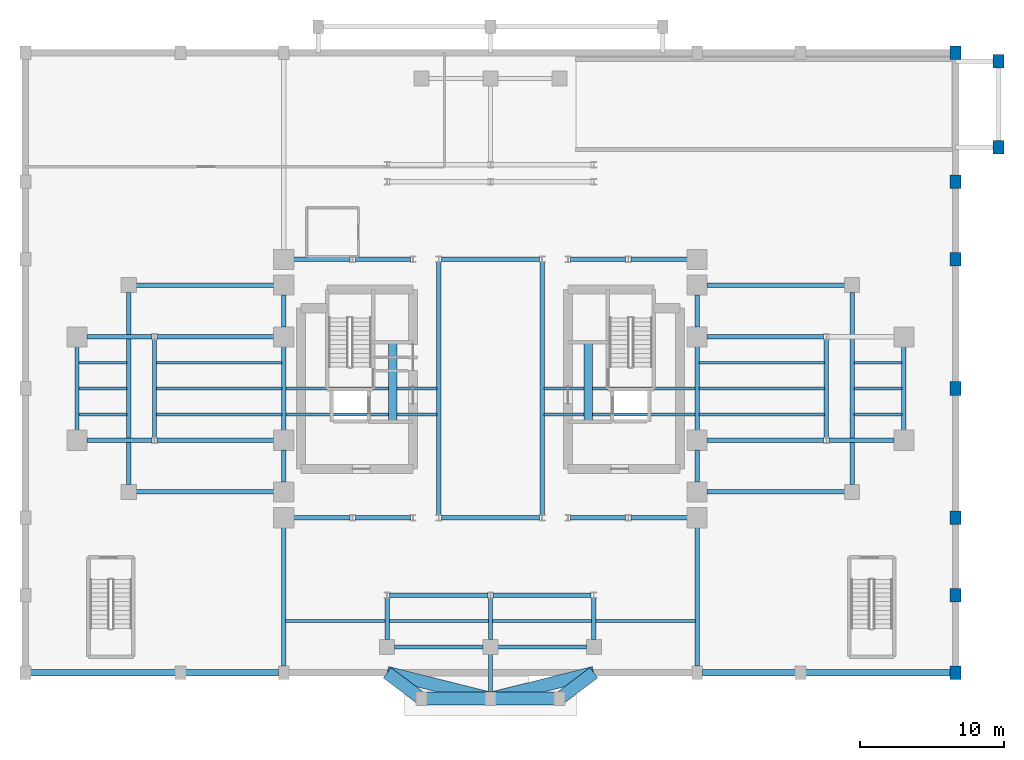
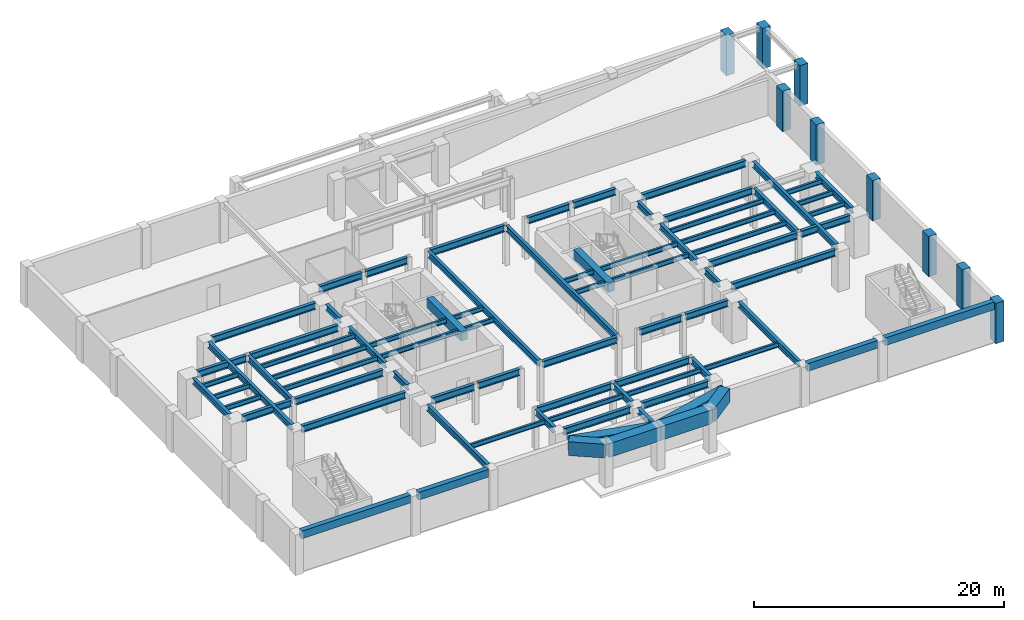
# One storey, part 3 of 9: 77 beams, 9 columns.
"""IFC4 building model written with IfcOpenShell, lengths in metres."""

from ifc_helpers import new_model, si_unit, direction, frame, origin, origin_2d, place, context, subcontext, project, spatial, rectangle, i_section, extrude, source, transform, mapped, material, material_profile, profile_set, type_object, element, save


model = new_model("IFC4")

# Units and contexts
model_context = context("Model", 3, precision=1e-05, world=origin(), true_north=direction((0.0, 1.0)))
body_context = subcontext(model_context, "Body", "Model", "MODEL_VIEW")
ifc_project = project(units=[si_unit("LENGTHUNIT", "METRE"), si_unit("AREAUNIT", "SQUARE_METRE"), si_unit("VOLUMEUNIT", "CUBIC_METRE"), si_unit("PLANEANGLEUNIT", "RADIAN"), si_unit("MASSUNIT", "GRAM", prefix="KILO")], contexts=[model_context])

# Site, building, storey
site_placement = place(None, origin())
site = spatial("IfcSite", under=ifc_project, at=site_placement, CompositionType="ELEMENT")
building_placement = place(site_placement, origin())
building = spatial("IfcBuilding", under=site, at=building_placement, Name="Keilestroom Media Tower", CompositionType="ELEMENT")
storey_placement = place(building_placement, frame((0.0, 0.0, -4.199951171875)))
storey = spatial("IfcBuildingStorey", under=building, at=storey_placement, Name="B1", CompositionType="ELEMENT", Elevation=-4.199951171875)

# Columns
ifc_material_1 = material(Name="Precast concrete C40/50", Category="concrete")
ifc_material_profile_1 = material_profile(ifc_material_1, rectangle(XDim=0.75, YDim=0.949951171875, at=origin_2d()), Name="PC 950x750")
ifc_profile_set_1 = profile_set([ifc_material_profile_1], Name="Precast concrete C40/50")
column_type = type_object("IfcColumnType", Name="Structural-Column-PC-950x750", PredefinedType="COLUMN", material=ifc_profile_set_1)
shared_shape_1 = source(origin(), body_context, "Body", "SweptSolid", [
    extrude(rectangle(XDim=0.75, YDim=0.949951171875, at=origin_2d()), origin(), (0.0, 0.0, 1.0), 3.949951171875),
])
for number, where, z_axis, x_axis, name in (
    (1, (32.39990234375, -19.800048828125, 0.0), (0.0, 0.0, 1.0), (1.0, 0.0, 0.0), "B1 Column PC-1 (+32.4,-19.8)"),
    (2, (32.39990234375, -14.39990234375, 0.0), (0.0, 0.0, 1.0), (1.0, 0.0, 0.0), "B1 Column PC-1 (+32.4,-14.4)"),
    (3, (32.39990234375, -9.0, 0.0), (0.0, 0.0, 1.0), (1.0, 0.0, 0.0), "B1 Column PC-1 (+32.4,-9.0)"),
    (4, (32.39990234375, 0.0, 0.0), (0.0, 0.0, 1.0), (1.0, 0.0, 0.0), "B1 Column PC-1 (+32.4,+0.0)"),
    (5, (32.39990234375, 9.0, 0.0), (0.0, 0.0, 1.0), (1.0, 0.0, 0.0), "B1 Column PC-1 (+32.4,+9.0)"),
    (6, (32.39990234375, 14.39990234375, 0.0), (0.0, 0.0, 1.0), (1.0, 0.0, 0.0), "B1 Column PC-1 (+32.4,+14.4)"),
    (7, (32.39990234375, 23.39990234375, 0.0), (0.0, 0.0, 1.0), (1.0, 0.0, 0.0), "B1 Column PC-1 (+32.4,+23.4)"),
):
    element("IfcColumn", number, at=place(storey_placement, frame(where, z_axis=z_axis, x_axis=x_axis)), inside=storey, type_object=column_type, Name=name, PredefinedType="COLUMN", context=body_context, shape_type="MappedRepresentation", body=[
        mapped(shared_shape_1, transform((0.0, 0.0, 0.0), x_axis=(1.0, 0.0, 0.0), y_axis=(0.0, 1.0, 0.0), z_axis=(0.0, 0.0, 1.0), scale=1.0)),
    ])
shared_shape_2 = source(origin(), body_context, "Body", "SweptSolid", [
    extrude(rectangle(XDim=0.75, YDim=0.949951171875, at=origin_2d()), origin(), (0.0, 0.0, 1.0), 3.9599609375),
])
for number, where, z_axis, x_axis, name in (
    (8, (35.39990234375, 16.800048828125, 0.0), (0.0, 0.0, 1.0), (1.0, 0.0, 0.0), "B1 Column PC-1 (+35.4,+16.8)"),
    (9, (35.39990234375, 22.800048828125, 0.0), (0.0, 0.0, 1.0), (1.0, 0.0, 0.0), "B1 Column PC-1 (+35.4,+22.8)"),
):
    element("IfcColumn", number, at=place(storey_placement, frame(where, z_axis=z_axis, x_axis=x_axis)), inside=storey, type_object=column_type, Name=name, PredefinedType="COLUMN", context=body_context, shape_type="MappedRepresentation", body=[
        mapped(shared_shape_2, transform((0.0, 0.0, 0.0), x_axis=(1.0, 0.0, 0.0), y_axis=(0.0, 1.0, 0.0), z_axis=(0.0, 0.0, 1.0), scale=1.0)),
    ])

# Beams
ifc_material_2 = material(Name="Concrete C55/67", Category="concrete")
ifc_material_profile_2 = material_profile(ifc_material_2, rectangle(XDim=0.89990234375, YDim=1.35009765625, at=origin_2d()), Name="RC 900x1350")
ifc_profile_set_2 = profile_set([ifc_material_profile_2], Name="Concrete C55/67")
beam_type_1 = type_object("IfcBeamType", Name="Primary-Structural-Girder-RC-900x1350", PredefinedType="BEAM", material=ifc_profile_set_2)
shared_shape_3 = source(origin(), body_context, "Body", "SweptSolid", [
    extrude(rectangle(XDim=0.89990234375, YDim=1.35009765625, at=origin_2d()), origin(), (0.0, 0.0, 1.0), 3.0),
])
for number, where, z_axis, x_axis, name in (
    (10, (-4.800048828125, -21.60009765625, 3.5048828125), (-0.799980468008, 0.600026041773, 0.0), (-0.600026041773, -0.799980468008, 0.0), "B1 South-Lobe Podium Tie Girder 1"),
    (11, (4.800048828125, -21.60009765625, 3.5048828125), (0.799980468008, 0.600026041773, 0.0), (-0.600026041773, 0.799980468008, 0.0), "B1 South-Lobe Podium Tie Girder 4"),
):
    element("IfcBeam", number, at=place(storey_placement, frame(where, z_axis=z_axis, x_axis=x_axis)), inside=storey, type_object=beam_type_1, Name=name, PredefinedType="BEAM", context=body_context, shape_type="MappedRepresentation", body=[
        mapped(shared_shape_3, transform((0.0, 0.0, 0.0), x_axis=(1.0, 0.0, 0.0), y_axis=(0.0, 1.0, 0.0), z_axis=(0.0, 0.0, 1.0), scale=1.0)),
    ])
shared_shape_4 = source(origin(), body_context, "Body", "SweptSolid", [
    extrude(rectangle(XDim=0.89990234375, YDim=1.35009765625, at=origin_2d()), origin(), (0.0, 0.0, 1.0), 7.421630859375),
])
for number, where, z_axis, x_axis, name in (
    (12, (0.0, -21.60009765625, 3.5048828125), (-0.970140565046, 0.242543365301, 0.0), (-0.242543365301, -0.970140565046, 0.0), "B1 South-Lobe Podium Tie Girder 2"),
    (13, (0.0, -21.60009765625, 3.5048828125), (0.970140565046, 0.242543365301, 0.0), (-0.242543365301, 0.970140565046, 0.0), "B1 South-Lobe Podium Tie Girder 3"),
):
    element("IfcBeam", number, at=place(storey_placement, frame(where, z_axis=z_axis, x_axis=x_axis)), inside=storey, type_object=beam_type_1, Name=name, PredefinedType="BEAM", context=body_context, shape_type="MappedRepresentation", body=[
        mapped(shared_shape_4, transform((0.0, 0.0, 0.0), x_axis=(1.0, 0.0, 0.0), y_axis=(0.0, 1.0, 0.0), z_axis=(0.0, 0.0, 1.0), scale=1.0)),
    ])
shared_shape_5 = source(origin(), body_context, "Body", "SweptSolid", [
    extrude(rectangle(XDim=0.89990234375, YDim=1.35009765625, at=origin_2d()), origin(), (0.0, 0.0, 1.0), 4.800048828125),
])
for number, where, z_axis, x_axis, name in (
    (14, (-4.800048828125, -21.60009765625, 3.5048828125), (1.0, 0.0, 0.0), (0.0, 1.0, 0.0), "B1 South-Lobe Transverse Tie Girder W"),
    (15, (0.0, -21.60009765625, 3.5048828125), (1.0, 0.0, 0.0), (0.0, 1.0, 0.0), "B1 South-Lobe Transverse Tie Girder E"),
):
    element("IfcBeam", number, at=place(storey_placement, frame(where, z_axis=z_axis, x_axis=x_axis)), inside=storey, type_object=beam_type_1, Name=name, PredefinedType="BEAM", context=body_context, shape_type="MappedRepresentation", body=[
        mapped(shared_shape_5, transform((0.0, 0.0, 0.0), x_axis=(1.0, 0.0, 0.0), y_axis=(0.0, 1.0, 0.0), z_axis=(0.0, 0.0, 1.0), scale=1.0)),
    ])
ifc_material_profile_3 = material_profile(ifc_material_1, rectangle(XDim=0.449951171875, YDim=0.75, at=origin_2d()), Name="PC 450x750")
ifc_profile_set_3 = profile_set([ifc_material_profile_3], Name="Precast concrete C40/50")
beam_type_2 = type_object("IfcBeamType", Name="Perimeter-Spandrel-Beam-PC-450x750", PredefinedType="SPANDREL", material=ifc_profile_set_3)
shared_shape_6 = source(origin(), body_context, "Body", "SweptSolid", [
    extrude(rectangle(XDim=0.449951171875, YDim=0.75, at=origin_2d()), origin(), (0.0, 0.0, 1.0), 10.08984375),
])
for number, where, z_axis, x_axis, name in (
    (16, (-32.044921875, -19.800048828125, 3.574951171875), (1.0, 0.0, 0.0), (0.0, 1.0, 0.0), "B1 Beam SPB-1 BM-B1-EW-001"),
    (17, (21.955078125, -19.800048828125, 3.574951171875), (1.0, 0.0, 0.0), (0.0, 1.0, 0.0), "B1 Beam SPB-1 BM-B1-EW-004"),
):
    element("IfcBeam", number, at=place(storey_placement, frame(where, z_axis=z_axis, x_axis=x_axis)), inside=storey, type_object=beam_type_2, Name=name, PredefinedType="SPANDREL", context=body_context, shape_type="MappedRepresentation", body=[
        mapped(shared_shape_6, transform((0.0, 0.0, 0.0), x_axis=(1.0, 0.0, 0.0), y_axis=(0.0, 1.0, 0.0), z_axis=(0.0, 0.0, 1.0), scale=1.0)),
    ])
shared_shape_7 = source(origin(), body_context, "Body", "SweptSolid", [
    extrude(rectangle(XDim=0.449951171875, YDim=0.75, at=origin_2d()), origin(), (0.0, 0.0, 1.0), 6.490234375),
])
for number, where, z_axis, x_axis, name in (
    (18, (-21.2451171875, -19.800048828125, 3.574951171875), (1.0, 0.0, 0.0), (0.0, 1.0, 0.0), "B1 Beam SPB-1 BM-B1-EW-002"),
    (19, (14.7548828125, -19.800048828125, 3.574951171875), (1.0, 0.0, 0.0), (0.0, 1.0, 0.0), "B1 Beam SPB-1 BM-B1-EW-003"),
):
    element("IfcBeam", number, at=place(storey_placement, frame(where, z_axis=z_axis, x_axis=x_axis)), inside=storey, type_object=beam_type_2, Name=name, PredefinedType="SPANDREL", context=body_context, shape_type="MappedRepresentation", body=[
        mapped(shared_shape_7, transform((0.0, 0.0, 0.0), x_axis=(1.0, 0.0, 0.0), y_axis=(0.0, 1.0, 0.0), z_axis=(0.0, 0.0, 1.0), scale=1.0)),
    ])
ifc_material_3 = material(Name="Steel S355", Category="steel")
ifc_material_profile_4 = material_profile(ifc_material_3, i_section(OverallWidth=0.300048828125, OverallDepth=0.64990234375, WebThickness=0.013916015625, FlangeThickness=0.031005859375, at=origin_2d()), Name="HEB 650")
ifc_profile_set_4 = profile_set([ifc_material_profile_4], Name="Steel S355")
beam_type_3 = type_object("IfcBeamType", Name="Primary-Structural-Girder-HEB-650", PredefinedType="BEAM", material=ifc_profile_set_4)
shared_shape_8 = source(origin(), body_context, "Body", "SweptSolid", [
    extrude(i_section(OverallWidth=0.300048828125, OverallDepth=0.64990234375, WebThickness=0.013916015625, FlangeThickness=0.031005859375, at=origin_2d()), origin(), (0.0, 0.0, 1.0), 6.190185546875),
])
for number, where, z_axis, x_axis, name in (
    (20, (-6.695068359375, -18.0, 3.625), (1.0, 0.0, 0.0), (0.0, 1.0, 0.0), "B1 Beam BG-3 BM-B1-EW-005"),
    (21, (0.5048828125, -18.0, 3.625), (1.0, 0.0, 0.0), (0.0, 1.0, 0.0), "B1 Beam BG-3 BM-B1-EW-006"),
):
    element("IfcBeam", number, at=place(storey_placement, frame(where, z_axis=z_axis, x_axis=x_axis)), inside=storey, type_object=beam_type_3, Name=name, PredefinedType="BEAM", context=body_context, shape_type="MappedRepresentation", body=[
        mapped(shared_shape_8, transform((0.0, 0.0, 0.0), x_axis=(1.0, 0.0, 0.0), y_axis=(0.0, 1.0, 0.0), z_axis=(0.0, 0.0, 1.0), scale=1.0)),
    ])
shared_shape_9 = source(origin(), body_context, "Body", "SweptSolid", [
    extrude(i_section(OverallWidth=0.300048828125, OverallDepth=0.64990234375, WebThickness=0.013916015625, FlangeThickness=0.031005859375, at=origin_2d()), origin(), (0.0, 0.0, 1.0), 6.833984375),
])
for number, where, z_axis, x_axis, name in (
    (22, (-7.01708984375, -14.39990234375, 3.625), (1.0, 0.0, 0.0), (0.0, 1.0, 0.0), "B1 Beam BG-3 BM-B1-EW-007"),
    (23, (0.18310546875, -14.39990234375, 3.625), (1.0, 0.0, 0.0), (0.0, 1.0, 0.0), "B1 Beam BG-3 BM-B1-EW-008"),
    (24, (-3.4169921875, -9.0, 3.625), (1.0, 0.0, 0.0), (0.0, 1.0, 0.0), "B1 Beam BG-3 BM-B1-EW-012"),
    (25, (-3.4169921875, 9.0, 3.625), (1.0, 0.0, 0.0), (0.0, 1.0, 0.0), "B1 Beam BG-3 BM-B1-EW-031"),
):
    element("IfcBeam", number, at=place(storey_placement, frame(where, z_axis=z_axis, x_axis=x_axis)), inside=storey, type_object=beam_type_3, Name=name, PredefinedType="BEAM", context=body_context, shape_type="MappedRepresentation", body=[
        mapped(shared_shape_9, transform((0.0, 0.0, 0.0), x_axis=(1.0, 0.0, 0.0), y_axis=(0.0, 1.0, 0.0), z_axis=(0.0, 0.0, 1.0), scale=1.0)),
    ])
shared_shape_10 = source(origin(), body_context, "Body", "SweptSolid", [
    extrude(i_section(OverallWidth=0.300048828125, OverallDepth=0.64990234375, WebThickness=0.013916015625, FlangeThickness=0.031005859375, at=origin_2d()), origin(), (0.0, 0.0, 1.0), 3.93701171875),
])
for number, where, z_axis, x_axis, name in (
    (26, (-13.719970703125, -9.0, 3.625), (1.0, 0.0, 0.0), (0.0, 1.0, 0.0), "B1 Beam BG-3 BM-B1-EW-009"),
    (27, (9.782958984375, -9.0, 3.625), (1.0, 0.0, 0.0), (0.0, 1.0, 0.0), "B1 Beam BG-3 BM-B1-EW-015"),
    (28, (-13.719970703125, 9.0, 3.625), (1.0, 0.0, 0.0), (0.0, 1.0, 0.0), "B1 Beam BG-3 BM-B1-EW-028"),
    (29, (9.782958984375, 9.0, 3.625), (1.0, 0.0, 0.0), (0.0, 1.0, 0.0), "B1 Beam BG-3 BM-B1-EW-034"),
):
    element("IfcBeam", number, at=place(storey_placement, frame(where, z_axis=z_axis, x_axis=x_axis)), inside=storey, type_object=beam_type_3, Name=name, PredefinedType="BEAM", context=body_context, shape_type="MappedRepresentation", body=[
        mapped(shared_shape_10, transform((0.0, 0.0, 0.0), x_axis=(1.0, 0.0, 0.0), y_axis=(0.0, 1.0, 0.0), z_axis=(0.0, 0.0, 1.0), scale=1.0)),
    ])
shared_shape_11 = source(origin(), body_context, "Body", "SweptSolid", [
    extrude(i_section(OverallWidth=0.300048828125, OverallDepth=0.64990234375, WebThickness=0.013916015625, FlangeThickness=0.031005859375, at=origin_2d()), origin(), (0.0, 0.0, 1.0), 3.833984375),
])
for number, where, z_axis, x_axis, name in (
    (30, (-9.4169921875, -9.0, 3.625), (1.0, 0.0, 0.0), (0.0, 1.0, 0.0), "B1 Beam BG-3 BM-B1-EW-010"),
    (31, (5.5830078125, -9.0, 3.625), (1.0, 0.0, 0.0), (0.0, 1.0, 0.0), "B1 Beam BG-3 BM-B1-EW-014"),
    (32, (-9.4169921875, 9.0, 3.625), (1.0, 0.0, 0.0), (0.0, 1.0, 0.0), "B1 Beam BG-3 BM-B1-EW-029"),
    (33, (5.5830078125, 9.0, 3.625), (1.0, 0.0, 0.0), (0.0, 1.0, 0.0), "B1 Beam BG-3 BM-B1-EW-033"),
):
    element("IfcBeam", number, at=place(storey_placement, frame(where, z_axis=z_axis, x_axis=x_axis)), inside=storey, type_object=beam_type_3, Name=name, PredefinedType="BEAM", context=body_context, shape_type="MappedRepresentation", body=[
        mapped(shared_shape_11, transform((0.0, 0.0, 0.0), x_axis=(1.0, 0.0, 0.0), y_axis=(0.0, 1.0, 0.0), z_axis=(0.0, 0.0, 1.0), scale=1.0)),
    ])
shared_shape_12 = source(origin(), body_context, "Body", "SweptSolid", [
    extrude(i_section(OverallWidth=0.300048828125, OverallDepth=0.64990234375, WebThickness=0.013916015625, FlangeThickness=0.031005859375, at=origin_2d()), origin(), (0.0, 0.0, 1.0), 9.614990234375),
])
for number, where, z_axis, x_axis, name in (
    (34, (-24.695068359375, -7.199951171875, 3.625), (1.0, 0.0, 0.0), (0.0, 1.0, 0.0), "B1 Beam BG-3 BM-B1-EW-016"),
    (35, (15.080078125, -7.199951171875, 3.625), (1.0, 0.0, 0.0), (0.0, 1.0, 0.0), "B1 Beam BG-3 BM-B1-EW-017"),
    (36, (-24.695068359375, 7.199951171875, 3.625), (1.0, 0.0, 0.0), (0.0, 1.0, 0.0), "B1 Beam BG-3 BM-B1-EW-026"),
    (37, (15.080078125, 7.199951171875, 3.625), (1.0, 0.0, 0.0), (0.0, 1.0, 0.0), "B1 Beam BG-3 BM-B1-EW-027"),
):
    element("IfcBeam", number, at=place(storey_placement, frame(where, z_axis=z_axis, x_axis=x_axis)), inside=storey, type_object=beam_type_3, Name=name, PredefinedType="BEAM", context=body_context, shape_type="MappedRepresentation", body=[
        mapped(shared_shape_12, transform((0.0, 0.0, 0.0), x_axis=(1.0, 0.0, 0.0), y_axis=(0.0, 1.0, 0.0), z_axis=(0.0, 0.0, 1.0), scale=1.0)),
    ])
shared_shape_13 = source(origin(), body_context, "Body", "SweptSolid", [
    extrude(i_section(OverallWidth=0.300048828125, OverallDepth=0.64990234375, WebThickness=0.013916015625, FlangeThickness=0.031005859375, at=origin_2d()), origin(), (0.0, 0.0, 1.0), 4.537109375),
])
for number, where, z_axis, x_axis, name in (
    (38, (-28.1201171875, -3.60009765625, 3.625), (1.0, 0.0, 0.0), (0.0, 1.0, 0.0), "B1 Beam BG-3 BM-B1-EW-018"),
    (39, (23.5830078125, -3.60009765625, 3.625), (1.0, 0.0, 0.0), (0.0, 1.0, 0.0), "B1 Beam BG-3 BM-B1-EW-021"),
    (40, (-28.1201171875, 3.60009765625, 3.625), (1.0, 0.0, 0.0), (0.0, 1.0, 0.0), "B1 Beam BG-3 BM-B1-EW-022"),
):
    element("IfcBeam", number, at=place(storey_placement, frame(where, z_axis=z_axis, x_axis=x_axis)), inside=storey, type_object=beam_type_3, Name=name, PredefinedType="BEAM", context=body_context, shape_type="MappedRepresentation", body=[
        mapped(shared_shape_13, transform((0.0, 0.0, 0.0), x_axis=(1.0, 0.0, 0.0), y_axis=(0.0, 1.0, 0.0), z_axis=(0.0, 0.0, 1.0), scale=1.0)),
    ])
shared_shape_14 = source(origin(), body_context, "Body", "SweptSolid", [
    extrude(i_section(OverallWidth=0.300048828125, OverallDepth=0.64990234375, WebThickness=0.013916015625, FlangeThickness=0.031005859375, at=origin_2d()), origin(), (0.0, 0.0, 1.0), 8.136962890625),
])
for number, where, z_axis, x_axis, name in (
    (41, (-23.217041015625, -3.60009765625, 3.625), (1.0, 0.0, 0.0), (0.0, 1.0, 0.0), "B1 Beam BG-3 BM-B1-EW-019"),
    (42, (15.080078125, -3.60009765625, 3.625), (1.0, 0.0, 0.0), (0.0, 1.0, 0.0), "B1 Beam BG-3 BM-B1-EW-020"),
    (43, (-23.217041015625, 3.60009765625, 3.625), (1.0, 0.0, 0.0), (0.0, 1.0, 0.0), "B1 Beam BG-3 BM-B1-EW-023"),
    (44, (15.080078125, 3.60009765625, 3.625), (1.0, 0.0, 0.0), (0.0, 1.0, 0.0), "B1 Beam BG-3 BM-B1-EW-024"),
):
    element("IfcBeam", number, at=place(storey_placement, frame(where, z_axis=z_axis, x_axis=x_axis)), inside=storey, type_object=beam_type_3, Name=name, PredefinedType="BEAM", context=body_context, shape_type="MappedRepresentation", body=[
        mapped(shared_shape_14, transform((0.0, 0.0, 0.0), x_axis=(1.0, 0.0, 0.0), y_axis=(0.0, 1.0, 0.0), z_axis=(0.0, 0.0, 1.0), scale=1.0)),
    ])
ifc_material_profile_5 = material_profile(ifc_material_3, i_section(OverallWidth=0.300048828125, OverallDepth=0.590087890625, WebThickness=0.012939453125, FlangeThickness=0.02490234375, at=origin_2d()), Name="HEA 600")
ifc_profile_set_5 = profile_set([ifc_material_profile_5], Name="Steel S355")
beam_type_4 = type_object("IfcBeamType", Name="Primary-Structural-Girder-HEA-600", PredefinedType="BEAM", material=ifc_profile_set_5)
shared_shape_15 = source(origin(), body_context, "Body", "SweptSolid", [
    extrude(i_section(OverallWidth=0.300048828125, OverallDepth=0.590087890625, WebThickness=0.012939453125, FlangeThickness=0.02490234375, at=origin_2d()), origin(), (0.0, 0.0, 1.0), 5.83984375),
])
for number, where, z_axis, x_axis, name in (
    (45, (-28.800048828125, -2.919921875, 3.655029296875), (0.0, 1.0, 0.0), (-1.0, 0.0, 0.0), "B1 Beam BG-9 BM-B1-NS-051"),
    (46, (-14.39990234375, -2.919921875, 3.655029296875), (0.0, 1.0, 0.0), (-1.0, 0.0, 0.0), "B1 Beam BG-9 BM-B1-NS-057"),
    (47, (14.39990234375, -2.919921875, 3.655029296875), (0.0, 1.0, 0.0), (-1.0, 0.0, 0.0), "B1 Beam BG-9 BM-B1-NS-078"),
    (48, (28.800048828125, -2.919921875, 3.655029296875), (0.0, 1.0, 0.0), (-1.0, 0.0, 0.0), "B1 Beam BG-9 BM-B1-NS-084"),
):
    element("IfcBeam", number, at=place(storey_placement, frame(where, z_axis=z_axis, x_axis=x_axis)), inside=storey, type_object=beam_type_4, Name=name, PredefinedType="BEAM", context=body_context, shape_type="MappedRepresentation", body=[
        mapped(shared_shape_15, transform((0.0, 0.0, 0.0), x_axis=(1.0, 0.0, 0.0), y_axis=(0.0, 1.0, 0.0), z_axis=(0.0, 0.0, 1.0), scale=1.0)),
    ])
shared_shape_16 = source(origin(), body_context, "Body", "SweptSolid", [
    extrude(i_section(OverallWidth=0.300048828125, OverallDepth=0.590087890625, WebThickness=0.012939453125, FlangeThickness=0.02490234375, at=origin_2d()), origin(), (0.0, 0.0, 1.0), 13.39013671875),
])
for number, where, z_axis, x_axis, name in (
    (49, (-25.199951171875, -6.695068359375, 3.655029296875), (0.0, 1.0, 0.0), (-1.0, 0.0, 0.0), "B1 Beam BG-9 BM-B1-NS-052"),
    (50, (25.199951171875, -6.695068359375, 3.655029296875), (0.0, 1.0, 0.0), (-1.0, 0.0, 0.0), "B1 Beam BG-9 BM-B1-NS-083"),
):
    element("IfcBeam", number, at=place(storey_placement, frame(where, z_axis=z_axis, x_axis=x_axis)), inside=storey, type_object=beam_type_4, Name=name, PredefinedType="BEAM", context=body_context, shape_type="MappedRepresentation", body=[
        mapped(shared_shape_16, transform((0.0, 0.0, 0.0), x_axis=(1.0, 0.0, 0.0), y_axis=(0.0, 1.0, 0.0), z_axis=(0.0, 0.0, 1.0), scale=1.0)),
    ])
shared_shape_17 = source(origin(), body_context, "Body", "SweptSolid", [
    extrude(i_section(OverallWidth=0.300048828125, OverallDepth=0.590087890625, WebThickness=0.012939453125, FlangeThickness=0.02490234375, at=origin_2d()), origin(), (0.0, 0.0, 1.0), 6.82421875),
])
for number, where, z_axis, x_axis, name in (
    (51, (-23.39990234375, -3.412109375, 3.655029296875), (0.0, 1.0, 0.0), (-1.0, 0.0, 0.0), "B1 Beam BG-9 BM-B1-NS-053"),
    (52, (23.39990234375, -3.412109375, 3.655029296875), (0.0, 1.0, 0.0), (-1.0, 0.0, 0.0), "B1 Beam BG-9 BM-B1-NS-082"),
):
    element("IfcBeam", number, at=place(storey_placement, frame(where, z_axis=z_axis, x_axis=x_axis)), inside=storey, type_object=beam_type_4, Name=name, PredefinedType="BEAM", context=body_context, shape_type="MappedRepresentation", body=[
        mapped(shared_shape_17, transform((0.0, 0.0, 0.0), x_axis=(1.0, 0.0, 0.0), y_axis=(0.0, 1.0, 0.0), z_axis=(0.0, 0.0, 1.0), scale=1.0)),
    ])
shared_shape_18 = source(origin(), body_context, "Body", "SweptSolid", [
    extrude(i_section(OverallWidth=0.300048828125, OverallDepth=0.590087890625, WebThickness=0.012939453125, FlangeThickness=0.02490234375, at=origin_2d()), origin(), (0.0, 0.0, 1.0), 9.6650390625),
])
for number, where, z_axis, x_axis, name in (
    (53, (-14.39990234375, -19.344970703125, 3.655029296875), (0.0, 1.0, 0.0), (-1.0, 0.0, 0.0), "B1 Beam BG-9 BM-B1-NS-054"),
    (54, (14.39990234375, -19.344970703125, 3.655029296875), (0.0, 1.0, 0.0), (-1.0, 0.0, 0.0), "B1 Beam BG-9 BM-B1-NS-075"),
):
    element("IfcBeam", number, at=place(storey_placement, frame(where, z_axis=z_axis, x_axis=x_axis)), inside=storey, type_object=beam_type_4, Name=name, PredefinedType="BEAM", context=body_context, shape_type="MappedRepresentation", body=[
        mapped(shared_shape_18, transform((0.0, 0.0, 0.0), x_axis=(1.0, 0.0, 0.0), y_axis=(0.0, 1.0, 0.0), z_axis=(0.0, 0.0, 1.0), scale=1.0)),
    ])
shared_shape_19 = source(origin(), body_context, "Body", "SweptSolid", [
    extrude(i_section(OverallWidth=0.300048828125, OverallDepth=0.590087890625, WebThickness=0.012939453125, FlangeThickness=0.02490234375, at=origin_2d()), origin(), (0.0, 0.0, 1.0), 2.239990234375),
])
for number, where, z_axis, x_axis, name in (
    (55, (-14.39990234375, -6.52001953125, 3.655029296875), (0.0, 1.0, 0.0), (-1.0, 0.0, 0.0), "B1 Beam BG-9 BM-B1-NS-056"),
    (56, (-14.39990234375, 4.280029296875, 3.655029296875), (0.0, 1.0, 0.0), (-1.0, 0.0, 0.0), "B1 Beam BG-9 BM-B1-NS-058"),
    (57, (14.39990234375, -6.52001953125, 3.655029296875), (0.0, 1.0, 0.0), (-1.0, 0.0, 0.0), "B1 Beam BG-9 BM-B1-NS-077"),
    (58, (14.39990234375, 4.280029296875, 3.655029296875), (0.0, 1.0, 0.0), (-1.0, 0.0, 0.0), "B1 Beam BG-9 BM-B1-NS-079"),
):
    element("IfcBeam", number, at=place(storey_placement, frame(where, z_axis=z_axis, x_axis=x_axis)), inside=storey, type_object=beam_type_4, Name=name, PredefinedType="BEAM", context=body_context, shape_type="MappedRepresentation", body=[
        mapped(shared_shape_19, transform((0.0, 0.0, 0.0), x_axis=(1.0, 0.0, 0.0), y_axis=(0.0, 1.0, 0.0), z_axis=(0.0, 0.0, 1.0), scale=1.0)),
    ])
shared_shape_20 = source(origin(), body_context, "Body", "SweptSolid", [
    extrude(i_section(OverallWidth=0.300048828125, OverallDepth=0.590087890625, WebThickness=0.012939453125, FlangeThickness=0.02490234375, at=origin_2d()), origin(), (0.0, 0.0, 1.0), 2.9072265625),
])
for number, where, z_axis, x_axis, name in (
    (59, (-7.199951171875, -17.4951171875, 3.655029296875), (0.0, 1.0, 0.0), (-1.0, 0.0, 0.0), "B1 Beam BG-9 BM-B1-NS-062"),
    (60, (0.0, -17.4951171875, 3.655029296875), (0.0, 1.0, 0.0), (-1.0, 0.0, 0.0), "B1 Beam BG-9 BM-B1-NS-067"),
    (61, (7.199951171875, -17.4951171875, 3.655029296875), (0.0, 1.0, 0.0), (-1.0, 0.0, 0.0), "B1 Beam BG-9 BM-B1-NS-072"),
):
    element("IfcBeam", number, at=place(storey_placement, frame(where, z_axis=z_axis, x_axis=x_axis)), inside=storey, type_object=beam_type_4, Name=name, PredefinedType="BEAM", context=body_context, shape_type="MappedRepresentation", body=[
        mapped(shared_shape_20, transform((0.0, 0.0, 0.0), x_axis=(1.0, 0.0, 0.0), y_axis=(0.0, 1.0, 0.0), z_axis=(0.0, 0.0, 1.0), scale=1.0)),
    ])
shared_shape_21 = source(origin(), body_context, "Body", "SweptSolid", [
    extrude(i_section(OverallWidth=0.300048828125, OverallDepth=0.590087890625, WebThickness=0.012939453125, FlangeThickness=0.02490234375, at=origin_2d()), origin(), (0.0, 0.0, 1.0), 17.6240234375),
])
for number, where, z_axis, x_axis, name in (
    (62, (-3.60009765625, -8.81201171875, 3.655029296875), (0.0, 1.0, 0.0), (-1.0, 0.0, 0.0), "B1 Beam BG-9 BM-B1-NS-065"),
    (63, (3.60009765625, -8.81201171875, 3.655029296875), (0.0, 1.0, 0.0), (-1.0, 0.0, 0.0), "B1 Beam BG-9 BM-B1-NS-070"),
):
    element("IfcBeam", number, at=place(storey_placement, frame(where, z_axis=z_axis, x_axis=x_axis)), inside=storey, type_object=beam_type_4, Name=name, PredefinedType="BEAM", context=body_context, shape_type="MappedRepresentation", body=[
        mapped(shared_shape_21, transform((0.0, 0.0, 0.0), x_axis=(1.0, 0.0, 0.0), y_axis=(0.0, 1.0, 0.0), z_axis=(0.0, 0.0, 1.0), scale=1.0)),
    ])
shared_shape_22 = source(origin(), body_context, "Body", "SweptSolid", [
    extrude(i_section(OverallWidth=0.300048828125, OverallDepth=0.590087890625, WebThickness=0.012939453125, FlangeThickness=0.02490234375, at=origin_2d()), origin(), (0.0, 0.0, 1.0), 2.64013671875),
])
beam_placement = place(storey_placement, frame((0.0, -21.14501953125, 3.655029296875), z_axis=(0.0, 1.0, 0.0), x_axis=(-1.0, 0.0, 0.0)))
element("IfcBeam", 64, at=beam_placement, inside=storey, type_object=beam_type_4, Name="B1 Beam BG-9 BM-B1-NS-066", PredefinedType="BEAM", context=body_context, shape_type="MappedRepresentation", body=[
    mapped(shared_shape_22, transform((0.0, 0.0, 0.0), x_axis=(1.0, 0.0, 0.0), y_axis=(0.0, 1.0, 0.0), z_axis=(0.0, 0.0, 1.0), scale=1.0)),
])
ifc_material_profile_6 = material_profile(ifc_material_3, i_section(OverallWidth=0.18994140625, OverallDepth=0.449951171875, WebThickness=0.009521484375, FlangeThickness=0.0146484375, at=origin_2d()), Name="IPE 450")
ifc_profile_set_6 = profile_set([ifc_material_profile_6], Name="Steel S355")
beam_type_5 = type_object("IfcBeamType", Name="Secondary-Floor-Joist-IPE-450", PredefinedType="JOIST", material=ifc_profile_set_6)
shared_shape_23 = source(origin(), body_context, "Body", "SweptSolid", [
    extrude(i_section(OverallWidth=0.18994140625, OverallDepth=0.449951171875, WebThickness=0.009521484375, FlangeThickness=0.0146484375, at=origin_2d()), origin(), (0.0, 0.0, 1.0), 6.93994140625),
])
for number, where, z_axis, x_axis, name in (
    (65, (-14.27001953125, -16.199951171875, 3.724853515625), (1.0, 0.0, 0.0), (0.0, 1.0, 0.0), "B1 Beam BJ-3 JST-B1-091"),
    (66, (7.330078125, -16.199951171875, 3.724853515625), (1.0, 0.0, 0.0), (0.0, 1.0, 0.0), "B1 Beam BJ-3 JST-B1-094"),
):
    element("IfcBeam", number, at=place(storey_placement, frame(where, z_axis=z_axis, x_axis=x_axis)), inside=storey, type_object=beam_type_5, Name=name, PredefinedType="JOIST", context=body_context, shape_type="MappedRepresentation", body=[
        mapped(shared_shape_23, transform((0.0, 0.0, 0.0), x_axis=(1.0, 0.0, 0.0), y_axis=(0.0, 1.0, 0.0), z_axis=(0.0, 0.0, 1.0), scale=1.0)),
    ])
shared_shape_24 = source(origin(), body_context, "Body", "SweptSolid", [
    extrude(i_section(OverallWidth=0.18994140625, OverallDepth=0.449951171875, WebThickness=0.009521484375, FlangeThickness=0.0146484375, at=origin_2d()), origin(), (0.0, 0.0, 1.0), 6.940185546875),
])
for number, where, z_axis, x_axis, name in (
    (67, (-7.070068359375, -16.199951171875, 3.724853515625), (1.0, 0.0, 0.0), (0.0, 1.0, 0.0), "B1 Beam BJ-3 JST-B1-092"),
    (68, (0.1298828125, -16.199951171875, 3.724853515625), (1.0, 0.0, 0.0), (0.0, 1.0, 0.0), "B1 Beam BJ-3 JST-B1-093"),
):
    element("IfcBeam", number, at=place(storey_placement, frame(where, z_axis=z_axis, x_axis=x_axis)), inside=storey, type_object=beam_type_5, Name=name, PredefinedType="JOIST", context=body_context, shape_type="MappedRepresentation", body=[
        mapped(shared_shape_24, transform((0.0, 0.0, 0.0), x_axis=(1.0, 0.0, 0.0), y_axis=(0.0, 1.0, 0.0), z_axis=(0.0, 0.0, 1.0), scale=1.0)),
    ])
shared_shape_25 = source(origin(), body_context, "Body", "SweptSolid", [
    extrude(i_section(OverallWidth=0.18994140625, OverallDepth=0.449951171875, WebThickness=0.009521484375, FlangeThickness=0.0146484375, at=origin_2d()), origin(), (0.0, 0.0, 1.0), 3.33984375),
])
for number, where, z_axis, x_axis, name in (
    (69, (-28.669921875, -1.800048828125, 3.724853515625), (1.0, 0.0, 0.0), (0.0, 1.0, 0.0), "B1 Beam BJ-3 JST-B1-095"),
    (70, (25.330078125, -1.800048828125, 3.724853515625), (1.0, 0.0, 0.0), (0.0, 1.0, 0.0), "B1 Beam BJ-3 JST-B1-101"),
    (71, (-28.669921875, 0.0, 3.724853515625), (1.0, 0.0, 0.0), (0.0, 1.0, 0.0), "B1 Beam BJ-3 JST-B1-102"),
    (72, (25.330078125, 0.0, 3.724853515625), (1.0, 0.0, 0.0), (0.0, 1.0, 0.0), "B1 Beam BJ-3 JST-B1-108"),
    (73, (-28.669921875, 1.800048828125, 3.724853515625), (1.0, 0.0, 0.0), (0.0, 1.0, 0.0), "B1 Beam BJ-3 JST-B1-109"),
    (74, (25.330078125, 1.800048828125, 3.724853515625), (1.0, 0.0, 0.0), (0.0, 1.0, 0.0), "B1 Beam BJ-3 JST-B1-115"),
):
    element("IfcBeam", number, at=place(storey_placement, frame(where, z_axis=z_axis, x_axis=x_axis)), inside=storey, type_object=beam_type_5, Name=name, PredefinedType="JOIST", context=body_context, shape_type="MappedRepresentation", body=[
        mapped(shared_shape_25, transform((0.0, 0.0, 0.0), x_axis=(1.0, 0.0, 0.0), y_axis=(0.0, 1.0, 0.0), z_axis=(0.0, 0.0, 1.0), scale=1.0)),
    ])
shared_shape_26 = source(origin(), body_context, "Body", "SweptSolid", [
    extrude(i_section(OverallWidth=0.18994140625, OverallDepth=0.449951171875, WebThickness=0.009521484375, FlangeThickness=0.0146484375, at=origin_2d()), origin(), (0.0, 0.0, 1.0), 8.739990234375),
])
for number, where, z_axis, x_axis, name in (
    (75, (-23.27001953125, -1.800048828125, 3.724853515625), (1.0, 0.0, 0.0), (0.0, 1.0, 0.0), "B1 Beam BJ-3 JST-B1-096"),
    (76, (14.530029296875, -1.800048828125, 3.724853515625), (1.0, 0.0, 0.0), (0.0, 1.0, 0.0), "B1 Beam BJ-3 JST-B1-100"),
    (77, (-23.27001953125, 0.0, 3.724853515625), (1.0, 0.0, 0.0), (0.0, 1.0, 0.0), "B1 Beam BJ-3 JST-B1-103"),
    (78, (14.530029296875, 0.0, 3.724853515625), (1.0, 0.0, 0.0), (0.0, 1.0, 0.0), "B1 Beam BJ-3 JST-B1-107"),
    (79, (-23.27001953125, 1.800048828125, 3.724853515625), (1.0, 0.0, 0.0), (0.0, 1.0, 0.0), "B1 Beam BJ-3 JST-B1-110"),
    (80, (14.530029296875, 1.800048828125, 3.724853515625), (1.0, 0.0, 0.0), (0.0, 1.0, 0.0), "B1 Beam BJ-3 JST-B1-114"),
):
    element("IfcBeam", number, at=place(storey_placement, frame(where, z_axis=z_axis, x_axis=x_axis)), inside=storey, type_object=beam_type_5, Name=name, PredefinedType="JOIST", context=body_context, shape_type="MappedRepresentation", body=[
        mapped(shared_shape_26, transform((0.0, 0.0, 0.0), x_axis=(1.0, 0.0, 0.0), y_axis=(0.0, 1.0, 0.0), z_axis=(0.0, 0.0, 1.0), scale=1.0)),
    ])
shared_shape_27 = source(origin(), body_context, "Body", "SweptSolid", [
    extrude(i_section(OverallWidth=0.18994140625, OverallDepth=0.449951171875, WebThickness=0.009521484375, FlangeThickness=0.0146484375, at=origin_2d()), origin(), (0.0, 0.0, 1.0), 10.5400390625),
])
for number, where, z_axis, x_axis, name in (
    (81, (-14.27001953125, -1.800048828125, 3.724853515625), (1.0, 0.0, 0.0), (0.0, 1.0, 0.0), "B1 Beam BJ-3 JST-B1-097"),
    (82, (3.72998046875, -1.800048828125, 3.724853515625), (1.0, 0.0, 0.0), (0.0, 1.0, 0.0), "B1 Beam BJ-3 JST-B1-099"),
    (83, (-14.27001953125, 0.0, 3.724853515625), (1.0, 0.0, 0.0), (0.0, 1.0, 0.0), "B1 Beam BJ-3 JST-B1-104"),
    (84, (3.72998046875, 0.0, 3.724853515625), (1.0, 0.0, 0.0), (0.0, 1.0, 0.0), "B1 Beam BJ-3 JST-B1-106"),
):
    element("IfcBeam", number, at=place(storey_placement, frame(where, z_axis=z_axis, x_axis=x_axis)), inside=storey, type_object=beam_type_5, Name=name, PredefinedType="JOIST", context=body_context, shape_type="MappedRepresentation", body=[
        mapped(shared_shape_27, transform((0.0, 0.0, 0.0), x_axis=(1.0, 0.0, 0.0), y_axis=(0.0, 1.0, 0.0), z_axis=(0.0, 0.0, 1.0), scale=1.0)),
    ])
ifc_material_4 = material(Name="Concrete C70/85", Category="concrete")
ifc_material_profile_7 = material_profile(ifc_material_4, rectangle(XDim=0.60009765625, YDim=0.89990234375, at=origin_2d()), Name="RC 600x900")
ifc_profile_set_7 = profile_set([ifc_material_profile_7], Name="Concrete C70/85")
beam_type_6 = type_object("IfcBeamType", Name="Core-Coupling-Lintel-Beam-RC-600x900", PredefinedType="LINTEL", material=ifc_profile_set_7)
shared_shape_28 = source(origin(), body_context, "Body", "SweptSolid", [
    extrude(rectangle(XDim=0.60009765625, YDim=0.89990234375, at=origin_2d()), origin(), (0.0, 0.0, 1.0), 5.52001953125),
])
for number, where, z_axis, x_axis, name in (
    (85, (-6.800048828125, -2.300048828125, 3.5), (0.0, 1.0, 0.0), (-1.0, 0.0, 0.0), "B1 Beam CLB-1 CLB-B1-W"),
    (86, (6.800048828125, -2.300048828125, 3.5), (0.0, 1.0, 0.0), (-1.0, 0.0, 0.0), "B1 Beam CLB-1 CLB-B1-E"),
):
    element("IfcBeam", number, at=place(storey_placement, frame(where, z_axis=z_axis, x_axis=x_axis)), inside=storey, type_object=beam_type_6, Name=name, PredefinedType="LINTEL", context=body_context, shape_type="MappedRepresentation", body=[
        mapped(shared_shape_28, transform((0.0, 0.0, 0.0), x_axis=(1.0, 0.0, 0.0), y_axis=(0.0, 1.0, 0.0), z_axis=(0.0, 0.0, 1.0), scale=1.0)),
    ])

save(model, "model.ifc")
